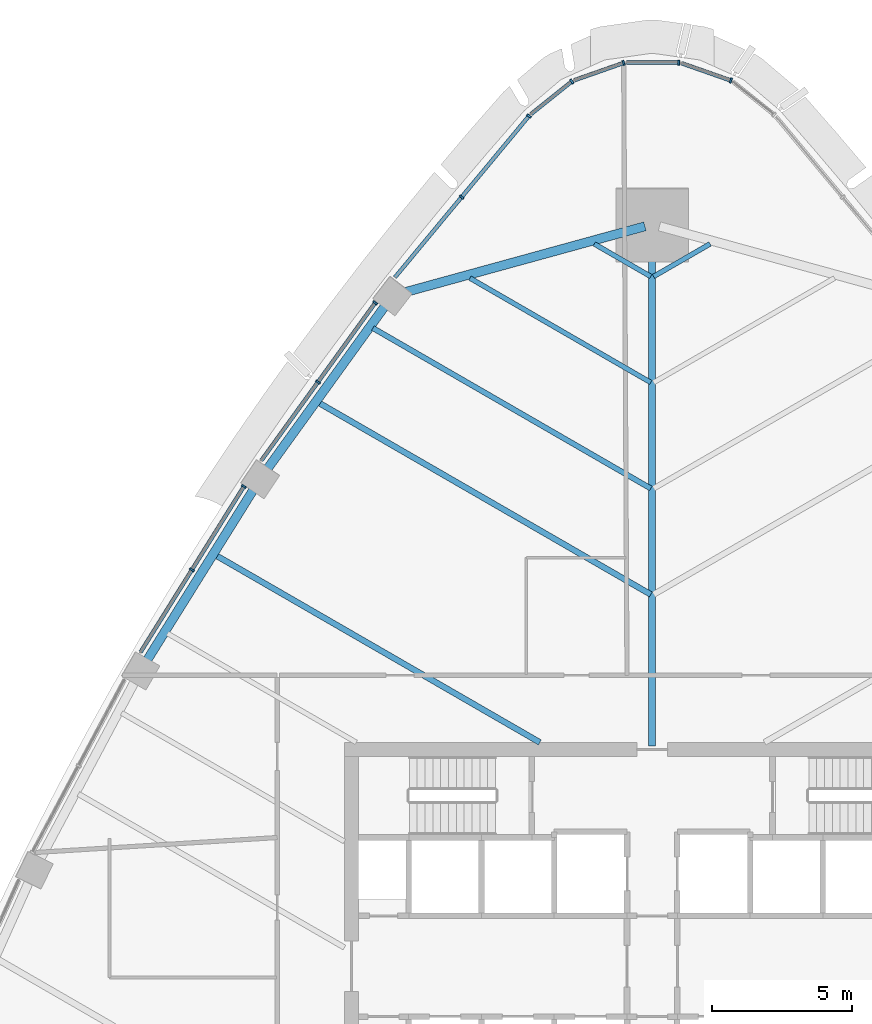
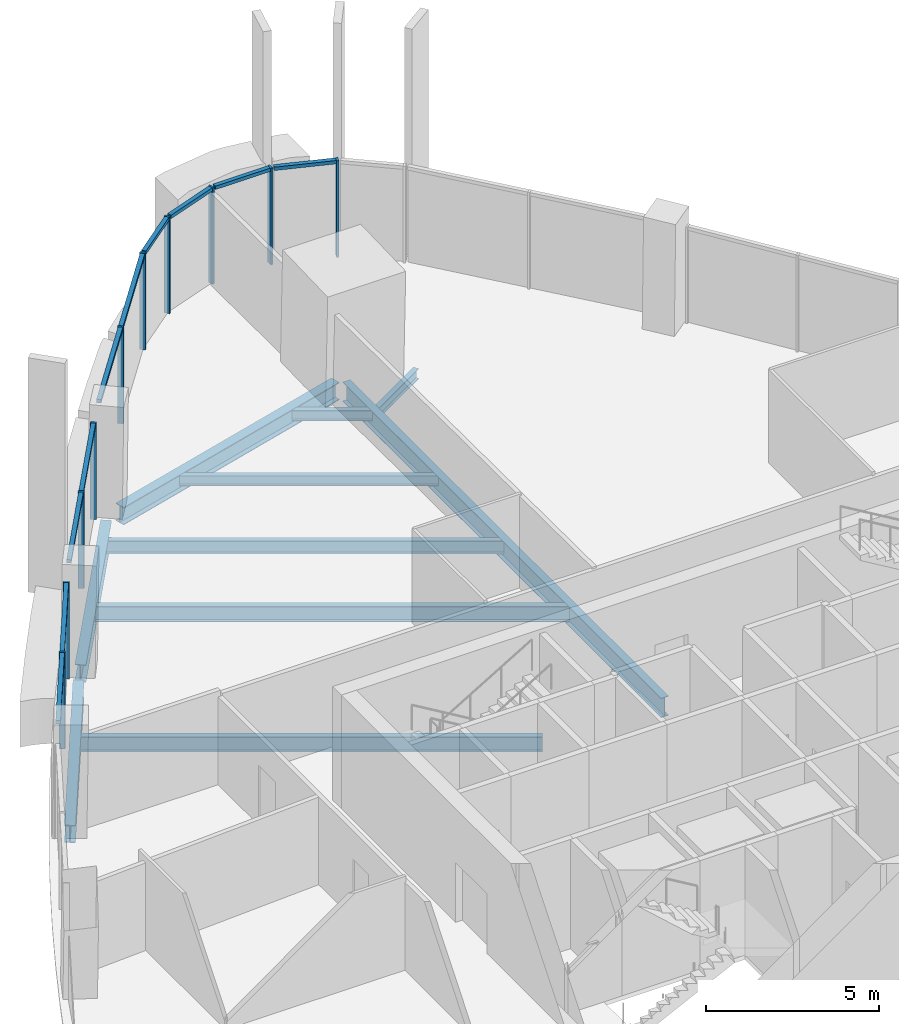
# One storey, part 6 of 17: 20 members, 10 beams, 7 elements without a shape of their own.
"""IFC4 building model written with IfcOpenShell, lengths in metres."""

from ifc_helpers import new_model, si_unit, direction, frame, origin, origin_2d, place, context, subcontext, project, spatial, rectangle, i_section, extrude, material, layer, layer_set, material_profile, profile_set, type_object, element, aggregate, save


model = new_model("IFC4")

# Units and contexts
model_context = context("Model", 3, precision=1e-05, world=origin(), true_north=direction((0.0, 1.0)))
body_context = subcontext(model_context, "Body", "Model", "MODEL_VIEW")
ifc_project = project(units=[si_unit("LENGTHUNIT", "METRE"), si_unit("AREAUNIT", "SQUARE_METRE"), si_unit("VOLUMEUNIT", "CUBIC_METRE"), si_unit("PLANEANGLEUNIT", "RADIAN"), si_unit("MASSUNIT", "GRAM", prefix="KILO")], contexts=[model_context])

# Site, building, storey
site_placement = place(None, origin())
site = spatial("IfcSite", under=ifc_project, at=site_placement, CompositionType="ELEMENT")
building_placement = place(site_placement, origin())
building = spatial("IfcBuilding", under=site, at=building_placement, Name="Sierra Prisma Convention Tower", CompositionType="ELEMENT")
storey_placement = place(building_placement, frame((0.0, 0.0, 201.800048828125)))
storey = spatial("IfcBuildingStorey", under=building, at=storey_placement, Name="L45", CompositionType="ELEMENT", Elevation=201.800048828125)

# Curtain wall, member
ifc_material_1 = material(Name="Aluminium and glass curtain wall", Category="aluminium")
ifc_layer = layer(ifc_material_1, 0.179931640625)
ifc_layer_set = layer_set([ifc_layer], Name="CW-1 Plain shaft curtain wall")
curtain_wall_type = type_object("IfcCurtainWallType", Name="CW-1 Plain shaft curtain wall", PredefinedType="NOTDEFINED", material=ifc_layer_set)
curtain_wall_1_placement = place(storey_placement, origin())
curtain_wall_1 = element("IfcCurtainWall", 1, at=curtain_wall_1_placement, inside=storey, type_object=curtain_wall_type, Name="CW-1 N2 L45", PredefinedType="NOTDEFINED")
ifc_material_2 = material(Name="Aluminium 6063-T6 bronze anodised", Category="aluminium")
ifc_material_profile_1 = material_profile(ifc_material_2, rectangle(XDim=0.179931640625, YDim=0.070068359375, at=origin_2d()), Name="ALU MULLION 70x180")
ifc_profile_set_1 = profile_set([ifc_material_profile_1], Name="Aluminium 6063-T6 bronze anodised")
member_type_1 = type_object("IfcMemberType", Name="CW mullion bronze", PredefinedType="MULLION", material=ifc_profile_set_1)
member_1_placement = place(storey_placement, frame((2.810302734375, 31.656005859375, 0.0), z_axis=(0.0, 0.0, 1.0), x_axis=(-0.331091545068, -0.943598637549, 0.0)))
member_1 = element("IfcMember", 2, at=member_1_placement, type_object=member_type_1, Name="CW-1 mullion N2.1", PredefinedType="MULLION", context=body_context, shape_type="SweptSolid", body=[
    extrude(rectangle(XDim=0.179931640625, YDim=0.070068359375, at=origin_2d()), origin(), (0.0, 0.0, 1.0), 3.39990234375),
])

curtain_wall_2_placement = place(storey_placement, origin())
curtain_wall_2 = element("IfcCurtainWall", 3, at=curtain_wall_2_placement, inside=storey, type_object=curtain_wall_type, Name="CW-1 N3 L45", PredefinedType="NOTDEFINED")
member_2_placement = place(storey_placement, frame((0.94970703125, 32.29638671875, 0.0), z_axis=(0.0, 0.0, 1.0), x_axis=(0.0, -1.0, 0.0)))
member_2 = element("IfcMember", 4, at=member_2_placement, type_object=member_type_1, Name="CW-1 mullion N3.1", PredefinedType="MULLION", context=body_context, shape_type="SweptSolid", body=[
    extrude(rectangle(XDim=0.179931640625, YDim=0.070068359375, at=origin_2d()), origin(), (0.0, 0.0, 1.0), 3.39990234375),
])

curtain_wall_3_placement = place(storey_placement, origin())
curtain_wall_3 = element("IfcCurtainWall", 5, at=curtain_wall_3_placement, inside=storey, type_object=curtain_wall_type, Name="CW-1 N4 L45", PredefinedType="NOTDEFINED")
member_3_placement = place(storey_placement, frame((-1.017822265625, 32.284912109375, 0.0), z_axis=(0.0, 0.0, 1.0), x_axis=(0.331091545068, -0.943598637549, 0.0)))
member_3 = element("IfcMember", 6, at=member_3_placement, type_object=member_type_1, Name="CW-1 mullion N4.1", PredefinedType="MULLION", context=body_context, shape_type="SweptSolid", body=[
    extrude(rectangle(XDim=0.179931640625, YDim=0.070068359375, at=origin_2d()), origin(), (0.0, 0.0, 1.0), 3.39990234375),
])

curtain_wall_4_placement = place(storey_placement, origin())
curtain_wall_4 = element("IfcCurtainWall", 7, at=curtain_wall_4_placement, inside=storey, type_object=curtain_wall_type, Name="CW-1 N5 L45", PredefinedType="NOTDEFINED")
member_4_placement = place(storey_placement, frame((-2.87060546875, 31.62255859375, 0.0), z_axis=(0.0, 0.0, 1.0), x_axis=(0.624835061661, -0.780756777568, 0.0)))
member_4 = element("IfcMember", 8, at=member_4_placement, type_object=member_type_1, Name="CW-1 mullion N5.1", PredefinedType="MULLION", context=body_context, shape_type="SweptSolid", body=[
    extrude(rectangle(XDim=0.179931640625, YDim=0.070068359375, at=origin_2d()), origin(), (0.0, 0.0, 1.0), 3.39990234375),
])

# Curtain wall, members
curtain_wall_5_placement = place(storey_placement, origin())
curtain_wall_5 = element("IfcCurtainWall", 9, at=curtain_wall_5_placement, inside=storey, type_object=curtain_wall_type, Name="CW-1 NW1 L45", PredefinedType="NOTDEFINED")
member_5_placement = place(storey_placement, frame((-4.4033203125, 30.38671875, 0.0), z_axis=(0.0, 0.0, 1.0), x_axis=(0.769191435358, -0.639018415832, 0.0)))
member_5 = element("IfcMember", 10, at=member_5_placement, type_object=member_type_1, Name="CW-1 mullion NW1.1", PredefinedType="MULLION", context=body_context, shape_type="SweptSolid", body=[
    extrude(rectangle(XDim=0.179931640625, YDim=0.070068359375, at=origin_2d()), origin(), (0.0, 0.0, 1.0), 3.39990234375),
])
member_6_placement = place(storey_placement, frame((-6.810546875, 27.4892578125, 0.0), z_axis=(0.0, 0.0, 1.0), x_axis=(0.769191435358, -0.639018415832, 0.0)))
member_6 = element("IfcMember", 11, at=member_6_placement, type_object=member_type_1, Name="CW-1 mullion NW1.2", PredefinedType="MULLION", context=body_context, shape_type="SweptSolid", body=[
    extrude(rectangle(XDim=0.179931640625, YDim=0.070068359375, at=origin_2d()), origin(), (0.0, 0.0, 1.0), 3.39990234375),
])

curtain_wall_6_placement = place(storey_placement, origin())
curtain_wall_6 = element("IfcCurtainWall", 12, at=curtain_wall_6_placement, inside=storey, type_object=curtain_wall_type, Name="CW-1 NW2 L45", PredefinedType="NOTDEFINED")
member_7_placement = place(storey_placement, frame((-9.898681640625, 23.710693359375, 0.0), z_axis=(0.0, 0.0, 1.0), x_axis=(0.810745179898, -0.585399225548, 0.0)))
member_7 = element("IfcMember", 13, at=member_7_placement, type_object=member_type_1, Name="CW-1 mullion NW2.1", PredefinedType="MULLION", context=body_context, shape_type="SweptSolid", body=[
    extrude(rectangle(XDim=0.179931640625, YDim=0.070068359375, at=origin_2d()), origin(), (0.0, 0.0, 1.0), 3.39990234375),
])
member_8_placement = place(storey_placement, frame((-11.944580078125, 20.877197265625, 0.0), z_axis=(0.0, 0.0, 1.0), x_axis=(0.810745179898, -0.585399225548, 0.0)))
member_8 = element("IfcMember", 14, at=member_8_placement, type_object=member_type_1, Name="CW-1 mullion NW2.2", PredefinedType="MULLION", context=body_context, shape_type="SweptSolid", body=[
    extrude(rectangle(XDim=0.179931640625, YDim=0.070068359375, at=origin_2d()), origin(), (0.0, 0.0, 1.0), 3.39990234375),
])

curtain_wall_7_placement = place(storey_placement, origin())
curtain_wall_7 = element("IfcCurtainWall", 15, at=curtain_wall_7_placement, inside=storey, type_object=curtain_wall_type, Name="CW-1 NW3 L45", PredefinedType="NOTDEFINED")
member_9_placement = place(storey_placement, frame((-14.593017578125, 17.145751953125, 0.0), z_axis=(0.0, 0.0, 1.0), x_axis=(0.848568093007, -0.529086185353, 0.0)))
member_9 = element("IfcMember", 16, at=member_9_placement, type_object=member_type_1, Name="CW-1 mullion NW3.1", PredefinedType="MULLION", context=body_context, shape_type="SweptSolid", body=[
    extrude(rectangle(XDim=0.179931640625, YDim=0.070068359375, at=origin_2d()), origin(), (0.0, 0.0, 1.0), 3.39990234375),
])
member_10_placement = place(storey_placement, frame((-16.45068359375, 14.166748046875, 0.0), z_axis=(0.0, 0.0, 1.0), x_axis=(0.848568093007, -0.529086185353, 0.0)))
member_10 = element("IfcMember", 17, at=member_10_placement, type_object=member_type_1, Name="CW-1 mullion NW3.2", PredefinedType="MULLION", context=body_context, shape_type="SweptSolid", body=[
    extrude(rectangle(XDim=0.179931640625, YDim=0.070068359375, at=origin_2d()), origin(), (0.0, 0.0, 1.0), 3.39990234375),
])

# Member
ifc_material_3 = material(Name="Aluminium 6063-T6 bronze anodised", Category="aluminium")
ifc_material_profile_2 = material_profile(ifc_material_3, rectangle(XDim=0.139892578125, YDim=0.1201171875, at=origin_2d()), Name="ALU TRANSOM 120x140")
ifc_profile_set_2 = profile_set([ifc_material_profile_2], Name="Aluminium 6063-T6 bronze anodised")
member_type_2 = type_object("IfcMemberType", Name="CW transom bronze", PredefinedType="USERDEFINED", material=ifc_profile_set_2)
member_11_placement = place(storey_placement, frame((2.77734375, 31.66748046875, 3.33984375), z_axis=(-0.943616801356, 0.331039774345, 0.0), x_axis=(-0.331039774345, -0.943616801356, 0.0)))
member_11 = element("IfcMember", 18, at=member_11_placement, type_object=member_type_2, Name="CW-1 transom N2.1", ObjectType="TRANSOM", PredefinedType="USERDEFINED", context=body_context, shape_type="SweptSolid", body=[
    extrude(rectangle(XDim=0.139892578125, YDim=0.1201171875, at=origin_2d()), origin(), (0.0, 0.0, 1.0), 1.829833984375),
])

aggregate(curtain_wall_1, [member_1, member_11])

member_12_placement = place(storey_placement, frame((0.914794921875, 32.29638671875, 3.33984375), z_axis=(-1.0, 0.0, 0.0), x_axis=(0.0, -1.0, 0.0)))
member_12 = element("IfcMember", 19, at=member_12_placement, type_object=member_type_2, Name="CW-1 transom N3.1", ObjectType="TRANSOM", PredefinedType="USERDEFINED", context=body_context, shape_type="SweptSolid", body=[
    extrude(rectangle(XDim=0.139892578125, YDim=0.1201171875, at=origin_2d()), origin(), (0.0, 0.0, 1.0), 1.82958984375),
])

aggregate(curtain_wall_2, [member_2, member_12])

member_13_placement = place(storey_placement, frame((-1.05078125, 32.273193359375, 3.33984375), z_axis=(-0.943616801356, -0.331039774345, 0.0), x_axis=(0.331039774345, -0.943616801356, 0.0)))
member_13 = element("IfcMember", 20, at=member_13_placement, type_object=member_type_2, Name="CW-1 transom N4.1", ObjectType="TRANSOM", PredefinedType="USERDEFINED", context=body_context, shape_type="SweptSolid", body=[
    extrude(rectangle(XDim=0.139892578125, YDim=0.1201171875, at=origin_2d()), origin(), (0.0, 0.0, 1.0), 1.829833984375),
])

aggregate(curtain_wall_3, [member_3, member_13])

member_14_placement = place(storey_placement, frame((-2.89794921875, 31.6005859375, 3.33984375), z_axis=(-0.780790688792, -0.624792685853, 0.0), x_axis=(0.624792685853, -0.780790688792, 0.0)))
member_14 = element("IfcMember", 21, at=member_14_placement, type_object=member_type_2, Name="CW-1 transom N5.1", ObjectType="TRANSOM", PredefinedType="USERDEFINED", context=body_context, shape_type="SweptSolid", body=[
    extrude(rectangle(XDim=0.139892578125, YDim=0.1201171875, at=origin_2d()), origin(), (0.0, 0.0, 1.0), 1.82958984375),
])

aggregate(curtain_wall_4, [member_4, member_14])

member_15_placement = place(storey_placement, frame((-4.42578125, 30.35986328125, 3.33984375), z_axis=(-0.638988436467, -0.76921634022, 0.0), x_axis=(0.76921634022, -0.638988436467, 0.0)))
member_15 = element("IfcMember", 22, at=member_15_placement, type_object=member_type_2, Name="CW-1 transom NW1.1", ObjectType="TRANSOM", PredefinedType="USERDEFINED", context=body_context, shape_type="SweptSolid", body=[
    extrude(rectangle(XDim=0.139892578125, YDim=0.1201171875, at=origin_2d()), origin(), (0.0, 0.0, 1.0), 3.697021484375),
])

member_16_placement = place(storey_placement, frame((-6.8330078125, 27.46240234375, 3.33984375), z_axis=(-0.638988436467, -0.76921634022, 0.0), x_axis=(0.76921634022, -0.638988436467, 0.0)))
member_16 = element("IfcMember", 23, at=member_16_placement, type_object=member_type_2, Name="CW-1 transom NW1.2", ObjectType="TRANSOM", PredefinedType="USERDEFINED", context=body_context, shape_type="SweptSolid", body=[
    extrude(rectangle(XDim=0.139892578125, YDim=0.1201171875, at=origin_2d()), origin(), (0.0, 0.0, 1.0), 3.697021484375),
])

aggregate(curtain_wall_5, [member_5, member_6, member_15, member_16])

member_17_placement = place(storey_placement, frame((-9.919189453125, 23.68212890625, 3.33984375), z_axis=(-0.585404659736, -0.81074125611, 0.0), x_axis=(0.81074125611, -0.585404659736, 0.0)))
member_17 = element("IfcMember", 24, at=member_17_placement, type_object=member_type_2, Name="CW-1 transom NW2.1", ObjectType="TRANSOM", PredefinedType="USERDEFINED", context=body_context, shape_type="SweptSolid", body=[
    extrude(rectangle(XDim=0.139892578125, YDim=0.1201171875, at=origin_2d()), origin(), (0.0, 0.0, 1.0), 3.4248046875),
])

member_18_placement = place(storey_placement, frame((-11.965087890625, 20.848876953125, 3.33984375), z_axis=(-0.585357800094, -0.810775089571, 0.0), x_axis=(0.810775089571, -0.585357800094, 0.0)))
member_18 = element("IfcMember", 25, at=member_18_placement, type_object=member_type_2, Name="CW-1 transom NW2.2", ObjectType="TRANSOM", PredefinedType="USERDEFINED", context=body_context, shape_type="SweptSolid", body=[
    extrude(rectangle(XDim=0.139892578125, YDim=0.1201171875, at=origin_2d()), origin(), (0.0, 0.0, 1.0), 3.424560546875),
])

aggregate(curtain_wall_6, [member_7, member_8, member_17, member_18])

member_19_placement = place(storey_placement, frame((-14.611572265625, 17.115966796875, 3.33984375), z_axis=(-0.52911211036, -0.848551928093, 0.0), x_axis=(0.848551928093, -0.52911211036, 0.0)))
member_19 = element("IfcMember", 26, at=member_19_placement, type_object=member_type_2, Name="CW-1 transom NW3.1", ObjectType="TRANSOM", PredefinedType="USERDEFINED", context=body_context, shape_type="SweptSolid", body=[
    extrude(rectangle(XDim=0.139892578125, YDim=0.1201171875, at=origin_2d()), origin(), (0.0, 0.0, 1.0), 3.440673828125),
])

member_20_placement = place(storey_placement, frame((-16.468994140625, 14.136962890625, 3.33984375), z_axis=(-0.52911211036, -0.848551928093, 0.0), x_axis=(0.848551928093, -0.52911211036, 0.0)))
member_20 = element("IfcMember", 27, at=member_20_placement, type_object=member_type_2, Name="CW-1 transom NW3.2", ObjectType="TRANSOM", PredefinedType="USERDEFINED", context=body_context, shape_type="SweptSolid", body=[
    extrude(rectangle(XDim=0.139892578125, YDim=0.1201171875, at=origin_2d()), origin(), (0.0, 0.0, 1.0), 3.440673828125),
])

aggregate(curtain_wall_7, [member_9, member_10, member_19, member_20])

# Beams
ifc_material_4 = material(Name="Steel ASTM A992 Gr 50", Category="steel")
ifc_material_profile_3 = material_profile(ifc_material_4, i_section(OverallWidth=0.172119140625, OverallDepth=0.35791015625, WebThickness=0.0078125, FlangeThickness=0.01318359375, at=origin_2d()), Name="W360x57")
ifc_profile_set_3 = profile_set([ifc_material_profile_3], Name="Steel ASTM A992 Gr 50")
beam_type_1 = type_object("IfcBeamType", Name="Floor joist W360x57", PredefinedType="JOIST", material=ifc_profile_set_3)
for number, where, z_axis, x_axis, name in (
    (28, (2.068359375, 25.815673828125, -0.3291015625), (-0.866035505882, -0.499982502246, 0.0), (0.499982502246, -0.866035505882, 0.0), "Floor joist L45 NE14"),
    (29, (-2.068359375, 25.815673828125, -0.3291015625), (0.866035505882, -0.499982502246, 0.0), (0.499982502246, 0.866035505882, 0.0), "Floor joist L45 NW01"),
):
    element("IfcBeam", number, at=place(storey_placement, frame(where, z_axis=z_axis, x_axis=x_axis)), inside=storey, type_object=beam_type_1, Name=name, PredefinedType="JOIST", context=body_context, shape_type="SweptSolid", body=[
        extrude(i_section(OverallWidth=0.172119140625, OverallDepth=0.35791015625, WebThickness=0.0078125, FlangeThickness=0.01318359375, at=origin_2d()), origin(), (0.0, 0.0, 1.0), 2.32958984375),
    ])
beam_1_placement = place(storey_placement, frame((-6.514404296875, 24.5947265625, -0.3291015625), z_axis=(0.866016173945, -0.50001598621, 0.0), x_axis=(0.50001598621, 0.866016173945, 0.0)))
element("IfcBeam", 30, at=beam_1_placement, inside=storey, type_object=beam_type_1, Name="Floor joist L45 NW02", PredefinedType="JOIST", context=body_context, shape_type="SweptSolid", body=[
    extrude(i_section(OverallWidth=0.172119140625, OverallDepth=0.35791015625, WebThickness=0.0078125, FlangeThickness=0.01318359375, at=origin_2d()), origin(), (0.0, 0.0, 1.0), 7.463623046875),
])
ifc_material_5 = material(Name="Steel ASTM A992 Gr 50", Category="steel")
ifc_material_profile_4 = material_profile(ifc_material_5, i_section(OverallWidth=0.18994140625, OverallDepth=0.45703125, WebThickness=0.009033203125, FlangeThickness=0.014404296875, at=origin_2d()), Name="W460x74")
ifc_profile_set_4 = profile_set([ifc_material_profile_4], Name="Steel ASTM A992 Gr 50")
beam_type_2 = type_object("IfcBeamType", Name="Floor joist W460x74", PredefinedType="JOIST", material=ifc_profile_set_4)
beam_2_placement = place(storey_placement, frame((-9.980224609375, 22.8076171875, -0.378662109375), z_axis=(0.866029209911, -0.499993407537, 0.0), x_axis=(0.499993407537, 0.866029209911, 0.0)))
element("IfcBeam", 31, at=beam_2_placement, inside=storey, type_object=beam_type_2, Name="Floor joist L45 NW03", PredefinedType="JOIST", context=body_context, shape_type="SweptSolid", body=[
    extrude(i_section(OverallWidth=0.18994140625, OverallDepth=0.45703125, WebThickness=0.009033203125, FlangeThickness=0.014404296875, at=origin_2d()), origin(), (0.0, 0.0, 1.0), 11.465576171875),
])
ifc_material_6 = material(Name="Steel ASTM A992 Gr 50", Category="steel")
ifc_material_profile_5 = material_profile(ifc_material_6, i_section(OverallWidth=0.208984375, OverallDepth=0.532958984375, WebThickness=0.01025390625, FlangeThickness=0.015625, at=origin_2d()), Name="W530x92")
ifc_profile_set_5 = profile_set([ifc_material_profile_5], Name="Steel ASTM A992 Gr 50")
beam_type_3 = type_object("IfcBeamType", Name="Floor joist W530x92", PredefinedType="JOIST", material=ifc_profile_set_5)
beam_3_placement = place(storey_placement, frame((-11.910400390625, 20.13427734375, -0.41650390625), z_axis=(0.866024971685, -0.500000748417, 0.0), x_axis=(0.500000748417, 0.866024971685, 0.0)))
element("IfcBeam", 32, at=beam_3_placement, inside=storey, type_object=beam_type_3, Name="Floor joist L45 NW04", PredefinedType="JOIST", context=body_context, shape_type="SweptSolid", body=[
    extrude(i_section(OverallWidth=0.208984375, OverallDepth=0.532958984375, WebThickness=0.01025390625, FlangeThickness=0.015625, at=origin_2d()), origin(), (0.0, 0.0, 1.0), 13.6943359375),
])
beam_4_placement = place(storey_placement, frame((-15.58544921875, 14.68017578125, -0.41650390625), z_axis=(0.866023694297, -0.500002960908, 0.0), x_axis=(0.500002960908, 0.866023694297, 0.0)))
element("IfcBeam", 33, at=beam_4_placement, inside=storey, type_object=beam_type_3, Name="Floor joist L45 NW06", PredefinedType="JOIST", context=body_context, shape_type="SweptSolid", body=[
    extrude(i_section(OverallWidth=0.208984375, OverallDepth=0.532958984375, WebThickness=0.01025390625, FlangeThickness=0.015625, at=origin_2d()), origin(), (0.0, 0.0, 1.0), 13.3603515625),
])
ifc_material_7 = material(Name="Steel ASTM A992 Gr 50", Category="steel")
ifc_material_profile_6 = material_profile(ifc_material_7, i_section(OverallWidth=0.25390625, OverallDepth=0.68408203125, WebThickness=0.012451171875, FlangeThickness=0.018798828125, at=origin_2d()), Name="W690x140")
ifc_profile_set_6 = profile_set([ifc_material_profile_6], Name="Steel ASTM A992 Gr 50")
beam_type_4 = type_object("IfcBeamType", Name="Radial girder W690x140", PredefinedType="BEAM", material=ifc_profile_set_6)
beam_5_placement = place(storey_placement, frame((0.0, 26.25537109375, -0.491943359375), z_axis=(0.0, -1.0, 0.0), x_axis=(1.0, 0.0, 0.0)))
element("IfcBeam", 34, at=beam_5_placement, inside=storey, type_object=beam_type_4, Name="Radial girder L45 N", PredefinedType="BEAM", context=body_context, shape_type="SweptSolid", body=[
    extrude(i_section(OverallWidth=0.25390625, OverallDepth=0.68408203125, WebThickness=0.012451171875, FlangeThickness=0.018798828125, at=origin_2d()), origin(), (0.0, 0.0, 1.0), 18.37548828125),
])
ifc_material_8 = material(Name="Steel ASTM A992 Gr 50", Category="steel")
ifc_material_profile_7 = material_profile(ifc_material_8, i_section(OverallWidth=0.324951171875, OverallDepth=0.615966796875, WebThickness=0.013916015625, FlangeThickness=0.021484375, at=origin_2d()), Name="W610x174")
ifc_profile_set_7 = profile_set([ifc_material_profile_7], Name="Steel ASTM A992 Gr 50")
beam_type_5 = type_object("IfcBeamType", Name="Spandrel beam W610x174", PredefinedType="BEAM", material=ifc_profile_set_7)
beam_6_placement = place(storey_placement, frame((-0.260009765625, 26.444091796875, -0.4580078125), z_axis=(-0.964288726947, -0.264853263303, 0.0), x_axis=(0.264853263303, -0.964288726947, 0.0)))
element("IfcBeam", 35, at=beam_6_placement, inside=storey, type_object=beam_type_5, Name="Spandrel L45-13", PredefinedType="BEAM", context=body_context, shape_type="SweptSolid", body=[
    extrude(i_section(OverallWidth=0.324951171875, OverallDepth=0.615966796875, WebThickness=0.013916015625, FlangeThickness=0.021484375, at=origin_2d()), origin(), (0.0, 0.0, 1.0), 8.85205078125),
])
for number, where, z_axis, x_axis, name in (
    (36, (-9.505615234375, 23.657470703125, -0.4580078125), (-0.585395556631, -0.81074782903, 0.0), (0.81074782903, -0.585395556631, 0.0), "Spandrel L45-14"),
    (37, (-14.214111328125, 17.09228515625, -0.4580078125), (-0.529087162875, -0.848567483516, 0.0), (0.848567483516, -0.529087162875, 0.0), "Spandrel L45-15"),
):
    element("IfcBeam", number, at=place(storey_placement, frame(where, z_axis=z_axis, x_axis=x_axis)), inside=storey, type_object=beam_type_5, Name=name, PredefinedType="BEAM", context=body_context, shape_type="SweptSolid", body=[
        extrude(i_section(OverallWidth=0.324951171875, OverallDepth=0.615966796875, WebThickness=0.013916015625, FlangeThickness=0.021484375, at=origin_2d()), origin(), (0.0, 0.0, 1.0), 7.3193359375),
    ])

save(model, "model.ifc")
